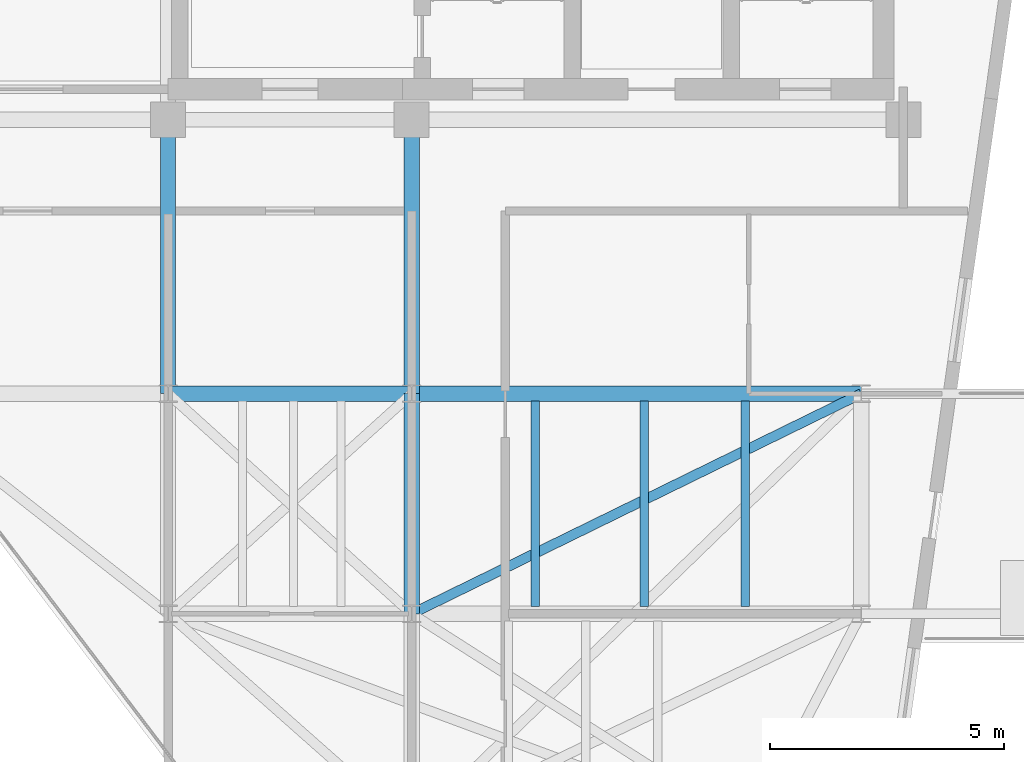
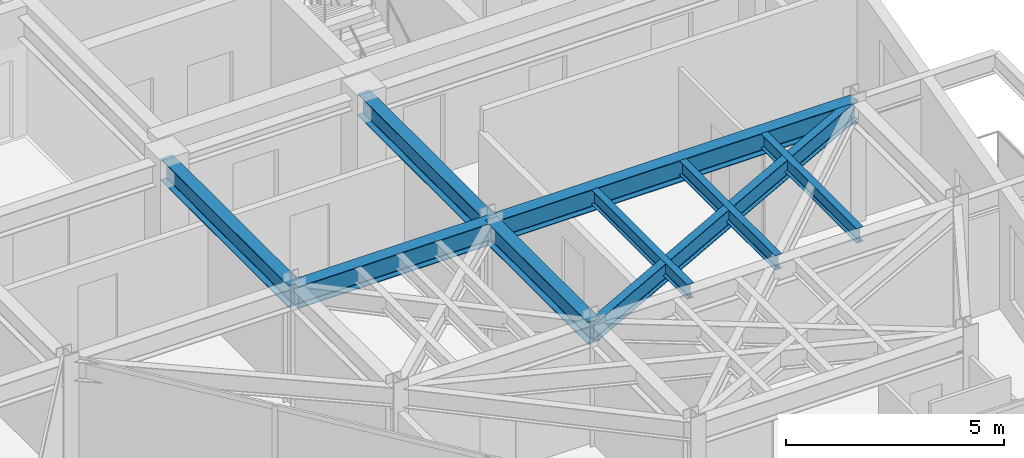
# One storey, part 9 of 17: 9 beams.
"""IFC4 building model written with IfcOpenShell, lengths in metres."""

from ifc_helpers import new_model, si_unit, direction, frame, origin, origin_2d, place, context, subcontext, project, spatial, i_section, extrude, material, material_profile, profile_set, type_object, element, save


model = new_model("IFC4")

# Units and contexts
model_context = context("Model", 3, precision=1e-05, world=origin(), true_north=direction((0.0, 1.0)))
body_context = subcontext(model_context, "Body", "Model", "MODEL_VIEW")
ifc_project = project(units=[si_unit("LENGTHUNIT", "METRE"), si_unit("AREAUNIT", "SQUARE_METRE"), si_unit("VOLUMEUNIT", "CUBIC_METRE"), si_unit("PLANEANGLEUNIT", "RADIAN"), si_unit("MASSUNIT", "GRAM", prefix="KILO")], contexts=[model_context])

# Site, building, storey
site_placement = place(None, origin())
site = spatial("IfcSite", under=ifc_project, at=site_placement, CompositionType="ELEMENT")
building_placement = place(site_placement, origin())
building = spatial("IfcBuilding", under=site, at=building_placement, Name="Kravanh Interchange Tower", CompositionType="ELEMENT")
storey_placement = place(building_placement, frame((0.0, 0.0, 289.5)))
storey = spatial("IfcBuildingStorey", under=building, at=storey_placement, Name="L71", CompositionType="ELEMENT", Elevation=289.5)

# Beams
ifc_material_1 = material(Name="Structural Steel S355", Category="steel")
ifc_material_profile_1 = material_profile(ifc_material_1, i_section(OverallWidth=0.323974609375, OverallDepth=0.611083984375, WebThickness=0.0126953125, FlangeThickness=0.01904296875, FilletRadius=0.02197265625, at=origin_2d()), Name="W24X104")
ifc_profile_set_1 = profile_set([ifc_material_profile_1], Name="Structural Steel S355")
beam_type_1 = type_object("IfcBeamType", Name="Floor Beam W24X104 Structural Steel S355", PredefinedType="BEAM", material=ifc_profile_set_1)
beam_1_placement = place(storey_placement, frame((50.800048828125, 31.5, 3.0595703125), z_axis=(1.0, 0.0, 0.0), x_axis=(0.0, 1.0, 0.0)))
element("IfcBeam", 1, at=beam_1_placement, inside=storey, type_object=beam_type_1, Name="L71 Primary Floor Girder 6", PredefinedType="BEAM", context=body_context, shape_type="SweptSolid", body=[
    extrude(i_section(OverallWidth=0.323974609375, OverallDepth=0.611083984375, WebThickness=0.0126953125, FlangeThickness=0.01904296875, FilletRadius=0.02197265625, at=origin_2d()), origin(), (0.0, 0.0, 1.0), 5.199951171875),
])
beam_2_placement = place(storey_placement, frame((50.800048828125, 31.5, 3.0595703125), z_axis=(0.0, 1.0, 0.0), x_axis=(-1.0, 0.0, 0.0)))
element("IfcBeam", 2, at=beam_2_placement, inside=storey, type_object=beam_type_1, Name="L71 Primary Floor Girder 7", PredefinedType="BEAM", context=body_context, shape_type="SweptSolid", body=[
    extrude(i_section(OverallWidth=0.323974609375, OverallDepth=0.611083984375, WebThickness=0.0126953125, FlangeThickness=0.01904296875, FilletRadius=0.02197265625, at=origin_2d()), origin(), (0.0, 0.0, 1.0), 5.85009765625),
])
beam_3_placement = place(storey_placement, frame((56.0, 31.5, 3.0595703125), z_axis=(0.0, -1.0, 0.0), x_axis=(1.0, 0.0, 0.0)))
element("IfcBeam", 3, at=beam_3_placement, inside=storey, type_object=beam_type_1, Name="L71 Primary Floor Girder 9", PredefinedType="BEAM", context=body_context, shape_type="SweptSolid", body=[
    extrude(i_section(OverallWidth=0.323974609375, OverallDepth=0.611083984375, WebThickness=0.0126953125, FlangeThickness=0.01904296875, FilletRadius=0.02197265625, at=origin_2d()), origin(), (0.0, 0.0, 1.0), 4.699951171875),
])
beam_4_placement = place(storey_placement, frame((56.0, 31.5, 3.0595703125), z_axis=(0.0, 1.0, 0.0), x_axis=(-1.0, 0.0, 0.0)))
element("IfcBeam", 4, at=beam_4_placement, inside=storey, type_object=beam_type_1, Name="L71 Primary Floor Girder 10", PredefinedType="BEAM", context=body_context, shape_type="SweptSolid", body=[
    extrude(i_section(OverallWidth=0.323974609375, OverallDepth=0.611083984375, WebThickness=0.0126953125, FlangeThickness=0.01904296875, FilletRadius=0.02197265625, at=origin_2d()), origin(), (0.0, 0.0, 1.0), 5.85009765625),
])
beam_5_placement = place(storey_placement, frame((56.0, 31.5, 3.0595703125), z_axis=(1.0, 0.0, 0.0), x_axis=(0.0, 1.0, 0.0)))
element("IfcBeam", 5, at=beam_5_placement, inside=storey, type_object=beam_type_1, Name="L71 Primary Floor Girder 12", PredefinedType="BEAM", context=body_context, shape_type="SweptSolid", body=[
    extrude(i_section(OverallWidth=0.323974609375, OverallDepth=0.611083984375, WebThickness=0.0126953125, FlangeThickness=0.01904296875, FilletRadius=0.02197265625, at=origin_2d()), origin(), (0.0, 0.0, 1.0), 9.60009765625),
])
ifc_material_2 = material(Name="Structural Steel S355", Category="steel")
ifc_material_profile_2 = material_profile(ifc_material_2, i_section(OverallWidth=0.177978515625, OverallDepth=0.406005859375, WebThickness=0.0078125, FlangeThickness=0.0126953125, FilletRadius=0.01611328125, at=origin_2d()), Name="W16X40")
ifc_profile_set_2 = profile_set([ifc_material_profile_2], Name="Structural Steel S355")
beam_type_2 = type_object("IfcBeamType", Name="Floor Joist W16X40 Structural Steel S355", PredefinedType="JOIST", material=ifc_profile_set_2)
for number, where, z_axis, x_axis, name in (
    (6, (58.64208984375, 26.95703125, 3.162109375), (0.0, 1.0, 0.0), (-1.0, 0.0, 0.0), "L71 Secondary Floor Joist 10"),
    (7, (60.966064453125, 26.95703125, 3.162109375), (0.0, 1.0, 0.0), (-1.0, 0.0, 0.0), "L71 Secondary Floor Joist 11"),
    (8, (63.1240234375, 26.95703125, 3.162109375), (0.0, 1.0, 0.0), (-1.0, 0.0, 0.0), "L71 Secondary Floor Joist 12"),
):
    element("IfcBeam", number, at=place(storey_placement, frame(where, z_axis=z_axis, x_axis=x_axis)), inside=storey, type_object=beam_type_2, Name=name, PredefinedType="JOIST", context=body_context, shape_type="SweptSolid", body=[
        extrude(i_section(OverallWidth=0.177978515625, OverallDepth=0.406005859375, WebThickness=0.0078125, FlangeThickness=0.0126953125, FilletRadius=0.01611328125, at=origin_2d()), origin(), (0.0, 0.0, 1.0), 4.385986328125),
    ])
ifc_material_3 = material(Name="Structural Steel S355", Category="steel")
ifc_material_profile_3 = material_profile(ifc_material_3, i_section(OverallWidth=0.2099609375, OverallDepth=0.537109375, WebThickness=0.010986328125, FlangeThickness=0.017333984375, FilletRadius=0.02001953125, at=origin_2d()), Name="W21X68")
ifc_profile_set_3 = profile_set([ifc_material_profile_3], Name="Structural Steel S355")
beam_type_3 = type_object("IfcBeamType", Name="Floor Spandrel W21X68 Structural Steel S355", PredefinedType="SPANDREL", material=ifc_profile_set_3)
beam_6_placement = place(storey_placement, frame((65.60009765625, 31.5, 3.096435546875), z_axis=(-0.898141688387, -0.439706160499, 0.0), x_axis=(0.439706160499, -0.898141688387, 0.0)))
element("IfcBeam", 9, at=beam_6_placement, inside=storey, type_object=beam_type_3, Name="L71 Perimeter Spandrel 15", PredefinedType="SPANDREL", context=body_context, shape_type="SweptSolid", body=[
    extrude(i_section(OverallWidth=0.2099609375, OverallDepth=0.537109375, WebThickness=0.010986328125, FlangeThickness=0.017333984375, FilletRadius=0.02001953125, at=origin_2d()), origin(), (0.0, 0.0, 1.0), 10.68896484375),
])

save(model, "model.ifc")
